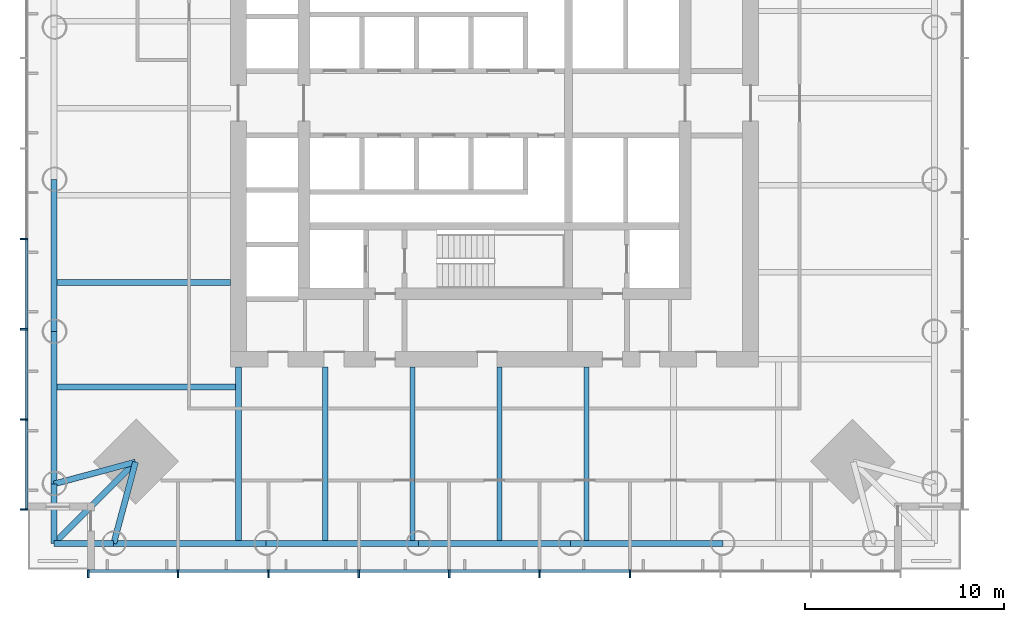
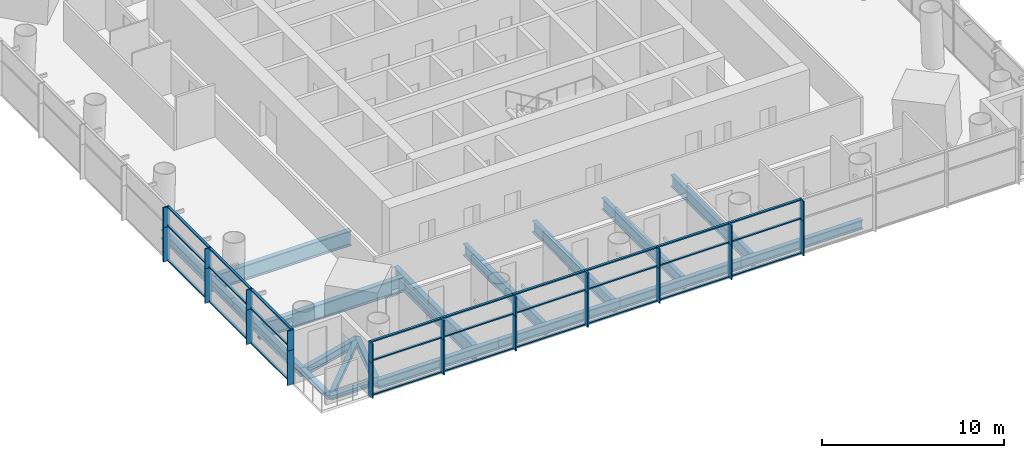
# One storey, part 2 of 24: 49 members, 18 beams, 4 elements without a shape of their own.
"""IFC4 building model written with IfcOpenShell, lengths in metres."""

import ifcopenshell
import ifcopenshell.guid

model = None  # the IFC model being written
_history = None  # IfcOwnerHistory: only IFC2X3 demands one
_inside = {}  # id of a spatial element -> (the spatial element, [elements in it])
_under = {}  # id of a project, library or spatial element -> (it, [spatial elements below it])
_declared = {}  # id of a project -> (the project, [libraries it declares])
_typed = {}  # id of a type object -> (the type object, [elements of that type])
_made_of = {}  # id of a material, layer set ... -> (it, [elements and type objects made of it])


def new_model(schema):
    """Start an empty IFC model of exactly this schema.

    Asked for "IFC4X3", IfcOpenShell would pick the latest addendum, in which some entities
    have other attributes; the version numbers below select the first issue.
    IFC2X3 requires an IfcOwnerHistory on every rooted entity: one is made here for all.
    """
    global model, _history
    if schema == "IFC4X3":
        model = ifcopenshell.file(schema_version=(4, 3, 0, 0))
    else:
        model = ifcopenshell.file(schema=schema)
    _inside.clear()
    _under.clear()
    _declared.clear()
    _typed.clear()
    _made_of.clear()
    _history = None
    if model.schema == "IFC2X3":
        org = make("IfcOrganization", Name="unknown")
        user = make(
            "IfcPersonAndOrganization",
            ThePerson=make("IfcPerson", FamilyName="unknown"),
            TheOrganization=org,
        )
        app = make(
            "IfcApplication",
            ApplicationDeveloper=org,
            Version="unknown",
            ApplicationFullName="unknown",
            ApplicationIdentifier="unknown",
        )
        _history = make(
            "IfcOwnerHistory",
            OwningUser=user,
            OwningApplication=app,
            ChangeAction="ADDED",
            CreationDate=0,
        )
    return model


def make(cls, **values):
    """One entity of the class cls with the attributes given. An attribute that is None is left unset."""
    return model.create_entity(
        cls, **{name: value for name, value in values.items() if value is not None}
    )


def rooted(cls, **values):
    """An entity with a GlobalId (a new one), such as an element, a storey or a relation."""
    return make(cls, GlobalId=ifcopenshell.guid.new(), OwnerHistory=_history, **values)


def si_unit(unit_type, name, prefix=None):
    """IfcSIUnit, for example si_unit("LENGTHUNIT", "METRE", prefix="MILLI")."""
    return make("IfcSIUnit", UnitType=unit_type, Prefix=prefix, Name=name)


def assignment(units):
    """IfcUnitAssignment: the units of a project."""
    return None if units is None else make("IfcUnitAssignment", Units=units)


def point(xyz):
    """IfcCartesianPoint."""
    return None if xyz is None else make("IfcCartesianPoint", Coordinates=xyz)


def direction(xyz):
    """IfcDirection."""
    return None if xyz is None else make("IfcDirection", DirectionRatios=xyz)


def frame(location, z_axis=None, x_axis=None):
    """IfcAxis2Placement3D, a coordinate frame: its origin and axes. An axis left out is left unset."""
    return make(
        "IfcAxis2Placement3D",
        Location=point(location),
        Axis=direction(z_axis),
        RefDirection=direction(x_axis),
    )


def frame_2d(location, x_axis=None):
    """IfcAxis2Placement2D, a coordinate frame in the plane: its origin and x axis."""
    return make(
        "IfcAxis2Placement2D", Location=point(location), RefDirection=direction(x_axis)
    )


def origin():
    """The frame at (0, 0, 0) with its axes left unset."""
    return frame((0.0, 0.0, 0.0))


def origin_2d():
    """The frame at (0, 0) in the plane with its x axis left unset."""
    return frame_2d((0.0, 0.0))


def place(relative_to, where):
    """IfcLocalPlacement: puts the frame where relative to a parent placement (None: the world)."""
    return make(
        "IfcLocalPlacement", PlacementRelTo=relative_to, RelativePlacement=where
    )


def context(
    kind, dimensions, precision=None, world=None, true_north=None, identifier=None
):
    """IfcGeometricRepresentationContext, for example the 3D "Model" context."""
    return make(
        "IfcGeometricRepresentationContext",
        ContextIdentifier=identifier,
        ContextType=kind,
        CoordinateSpaceDimension=dimensions,
        Precision=precision,
        WorldCoordinateSystem=world,
        TrueNorth=true_north,
    )


def subcontext(parent, identifier, kind, view, scale=None):
    """IfcGeometricRepresentationSubContext, for example "Body" below "Model"."""
    return make(
        "IfcGeometricRepresentationSubContext",
        ContextIdentifier=identifier,
        ContextType=kind,
        ParentContext=parent,
        TargetScale=scale,
        TargetView=view,
    )


def project(units=None, contexts=None):
    """IfcProject with its units and contexts."""
    return rooted(
        "IfcProject",
        Name="project",
        RepresentationContexts=contexts,
        UnitsInContext=assignment(units),
    )


def spatial(cls, under=None, at=None, **own):
    """A site, building, storey or space (cls), placed at a placement, below another one or the project."""
    s = rooted(cls, ObjectPlacement=at, **own)
    if under is not None:
        _under.setdefault(under.id(), (under, []))[1].append(s)
    return s


def profile(cls, at=None, kind="AREA", **sizes):
    """A parametric profile (cls). Its sizes go by their IFC names, for example OverallWidth=200.0."""
    return make(cls, ProfileType=kind, Position=at, **sizes)


def rectangle(**sizes):
    """IfcRectangleProfileDef."""
    return profile("IfcRectangleProfileDef", **sizes)


def i_section(**sizes):
    """IfcIShapeProfileDef."""
    return profile("IfcIShapeProfileDef", **sizes)


def extrude(swept, where, along, depth):
    """IfcExtrudedAreaSolid: the profile swept, set in the frame where, extruded along a direction by depth."""
    return make(
        "IfcExtrudedAreaSolid",
        SweptArea=swept,
        Position=where,
        ExtrudedDirection=direction(along),
        Depth=depth,
    )


def shape(context_of_items, identifier, shape_type, items):
    """IfcShapeRepresentation: the items that make up one representation, for example the "Body"."""
    return make(
        "IfcShapeRepresentation",
        ContextOfItems=context_of_items,
        RepresentationIdentifier=identifier,
        RepresentationType=shape_type,
        Items=items,
    )


def material(Name=None, Category=None):
    """IfcMaterial."""
    return make("IfcMaterial", Name=Name, Category=Category)


def material_profile(
    of_material, cross_section, Name=None, Category=None, Priority=None
):
    """IfcMaterialProfile: a cross section and its material."""
    return make(
        "IfcMaterialProfile",
        Name=Name,
        Material=of_material,
        Profile=cross_section,
        Priority=Priority,
        Category=Category,
    )


def profile_set(profiles, Name=None, composite=None):
    """IfcMaterialProfileSet."""
    return make(
        "IfcMaterialProfileSet",
        Name=Name,
        MaterialProfiles=profiles,
        CompositeProfile=composite,
    )


def made_of(thing, what):
    """Note that an element or type object is made of a material, layer set ...; save() writes the relation."""
    if what is not None:
        _made_of.setdefault(what.id(), (what, []))[1].append(thing)
    return thing


def type_object(cls, material=None, **own):
    """A type object (cls), such as IfcWallType, which elements share."""
    return made_of(rooted(cls, **own), material)


def element(
    cls,
    number,
    at=None,
    inside=None,
    cuts=None,
    type_object=None,
    material=None,
    context=None,
    identifier="Body",
    shape_type=None,
    held_by="IfcProductDefinitionShape",
    body=None,
    shapes=None,
    **own,
):
    """One element of the class cls, such as IfcWall. Its Tag is "e" and its number.

    at: its placement. inside: the storey or other place that contains it. cuts: it is an
    opening in that element (IfcRelVoidsElement). A single representation is given by context,
    identifier, shape_type and body (its items); several are given by shapes. held_by: the class
    of the entity that holds the representations. save() writes the other relations.
    """
    e = rooted(cls, Tag="e%d" % number, ObjectPlacement=at, **own)
    if body is not None:
        shapes = [shape(context, identifier, shape_type, body)]
    if shapes is not None:
        e.Representation = make(held_by, Representations=shapes)
    if inside is not None:
        _inside.setdefault(inside.id(), (inside, []))[1].append(e)
    if cuts is not None:
        rooted(
            "IfcRelVoidsElement", RelatingBuildingElement=cuts, RelatedOpeningElement=e
        )
    if type_object is not None:
        _typed.setdefault(type_object.id(), (type_object, []))[1].append(e)
    return made_of(e, material)


def aggregate(whole, parts):
    """IfcRelAggregates: a whole, such as a stair, and the parts it consists of."""
    return rooted("IfcRelAggregates", RelatingObject=whole, RelatedObjects=parts)


def save(model, path):
    """Write the relations noted so far, then the file.

    IfcRelAggregates (storeys below a building ...), IfcRelContainedInSpatialStructure (elements
    in a storey), IfcRelDefinesByType, IfcRelAssociatesMaterial and IfcRelDeclares: one each for
    every whole, place, type object, material and project.
    """
    for whole, parts in _under.values():
        aggregate(whole, parts)
    for where, things in _inside.values():
        rooted(
            "IfcRelContainedInSpatialStructure",
            RelatedElements=things,
            RelatingStructure=where,
        )
    for kind, things in _typed.values():
        rooted("IfcRelDefinesByType", RelatedObjects=things, RelatingType=kind)
    for what, things in _made_of.values():
        rooted("IfcRelAssociatesMaterial", RelatedObjects=things, RelatingMaterial=what)
    for by, libraries in _declared.values():
        rooted("IfcRelDeclares", RelatingContext=by, RelatedDefinitions=libraries)
    model.write(path)


model = new_model("IFC4")

# Units and contexts
model_context = context("Model", 3, precision=1e-05, world=origin(), true_north=direction((0.0, 1.0)))
body_context = subcontext(model_context, "Body", "Model", "MODEL_VIEW")
ifc_project = project(units=[si_unit("LENGTHUNIT", "METRE"), si_unit("AREAUNIT", "SQUARE_METRE"), si_unit("VOLUMEUNIT", "CUBIC_METRE"), si_unit("PLANEANGLEUNIT", "RADIAN"), si_unit("MASSUNIT", "GRAM", prefix="KILO")], contexts=[model_context])

# Site, building, storey
site_placement = place(None, origin())
site = spatial("IfcSite", under=ifc_project, at=site_placement, CompositionType="ELEMENT")
building_placement = place(site_placement, origin())
building = spatial("IfcBuilding", under=site, at=building_placement, Name="Ostroluk Exchange", CompositionType="ELEMENT")
storey_placement = place(building_placement, frame((0.0, 0.0, 78.0)))
storey = spatial("IfcBuildingStorey", under=building, at=storey_placement, Name="L19", CompositionType="ELEMENT", Elevation=78.0)

# Beams
ifc_material_1 = material(Name="Steel S355", Category="steel")
ifc_material_profile_1 = material_profile(ifc_material_1, i_section(OverallWidth=0.300048828125, OverallDepth=0.300048828125, WebThickness=0.010986328125, FlangeThickness=0.01904296875, FilletRadius=0.027099609375, at=origin_2d()), Name="HEB 300")
ifc_profile_set_1 = profile_set([ifc_material_profile_1], Name="Steel S355")
beam_type_1 = type_object("IfcBeamType", Name="Balcony beam HEB 300", PredefinedType="BEAM", material=ifc_profile_set_1)
for number, where, z_axis, x_axis, name in (
    (1, (22.821533203125, 26.821533203125, -0.330078125), (0.0, -1.0, 0.0), (1.0, 0.0, 0.0), "T1 west balcony beam a"),
    (2, (25.821533203125, 23.821533203125, -0.330078125), (-1.0, 0.0, 0.0), (0.0, -1.0, 0.0), "T1 west balcony beam b"),
):
    element("IfcBeam", number, at=place(storey_placement, frame(where, z_axis=z_axis, x_axis=x_axis)), inside=storey, type_object=beam_type_1, Name=name, PredefinedType="BEAM", context=body_context, shape_type="SweptSolid", body=[
        extrude(i_section(OverallWidth=0.300048828125, OverallDepth=0.300048828125, WebThickness=0.010986328125, FlangeThickness=0.01904296875, FilletRadius=0.027099609375, at=origin_2d()), origin(), (0.0, 0.0, 1.0), 3.0),
    ])
beam_1_placement = place(storey_placement, frame((26.92138671875, 27.92138671875, -0.330078125), z_axis=(-0.707106781187, -0.707106781187, 0.0), x_axis=(0.707106781187, -0.707106781187, 0.0)))
element("IfcBeam", 3, at=beam_1_placement, inside=storey, type_object=beam_type_1, Name="T1 west balcony beam c", PredefinedType="BEAM", context=body_context, shape_type="SweptSolid", body=[
    extrude(i_section(OverallWidth=0.300048828125, OverallDepth=0.300048828125, WebThickness=0.010986328125, FlangeThickness=0.01904296875, FilletRadius=0.027099609375, at=origin_2d()), origin(), (0.0, 0.0, 1.0), 5.798095703125),
])
ifc_material_2 = material(Name="Steel S355", Category="steel")
ifc_material_profile_2 = material_profile(ifc_material_2, i_section(OverallWidth=0.300048828125, OverallDepth=0.550048828125, WebThickness=0.014892578125, FlangeThickness=0.029052734375, FilletRadius=0.027099609375, at=origin_2d()), Name="HEB 550")
ifc_profile_set_2 = profile_set([ifc_material_profile_2], Name="Steel S355")
beam_type_2 = type_object("IfcBeamType", Name="Corner edge beam HEB 550", PredefinedType="SPANDREL", material=ifc_profile_set_2)
for number, where, z_axis, x_axis, name in (
    (4, (26.92138671875, 27.92138671875, -0.455078125), (-0.965849156574, -0.259105011038, 0.0), (0.259105011038, -0.965849156574, 0.0), "T1 west corner edge beam a"),
    (5, (26.92138671875, 27.92138671875, -0.455078125), (-0.259105011038, -0.965849156574, 0.0), (0.965849156574, -0.259105011038, 0.0), "T1 west corner edge beam b"),
):
    element("IfcBeam", number, at=place(storey_placement, frame(where, z_axis=z_axis, x_axis=x_axis)), inside=storey, type_object=beam_type_2, Name=name, PredefinedType="SPANDREL", context=body_context, shape_type="SweptSolid", body=[
        extrude(i_section(OverallWidth=0.300048828125, OverallDepth=0.550048828125, WebThickness=0.014892578125, FlangeThickness=0.029052734375, FilletRadius=0.027099609375, at=origin_2d()), origin(), (0.0, 0.0, 1.0), 4.244873046875),
    ])
ifc_material_3 = material(Name="Steel S355", Category="steel")
ifc_material_profile_3 = material_profile(ifc_material_3, i_section(OverallWidth=0.302001953125, OverallDepth=1.008056640625, WebThickness=0.02099609375, FlangeThickness=0.0400390625, FilletRadius=0.030029296875, at=origin_2d()), Name="HEM 1000")
ifc_profile_set_3 = profile_set([ifc_material_profile_3], Name="Steel S355")
beam_type_3 = type_object("IfcBeamType", Name="Floor beam HEM 1000", PredefinedType="BEAM", material=ifc_profile_set_3)
beam_2_placement = place(storey_placement, frame((31.699951171875, 36.975830078125, -0.68408203125), z_axis=(-1.0, 0.0, 0.0), x_axis=(0.0, -1.0, 0.0)))
element("IfcBeam", 6, at=beam_2_placement, inside=storey, type_object=beam_type_3, Name="T1 west floor beam 5", PredefinedType="BEAM", context=body_context, shape_type="SweptSolid", body=[
    extrude(i_section(OverallWidth=0.302001953125, OverallDepth=1.008056640625, WebThickness=0.02099609375, FlangeThickness=0.0400390625, FilletRadius=0.030029296875, at=origin_2d()), origin(), (0.0, 0.0, 1.0), 8.87841796875),
])
beam_3_placement = place(storey_placement, frame((32.10009765625, 31.699951171875, -0.68408203125), z_axis=(-1.0, 0.0, 0.0), x_axis=(0.0, -1.0, 0.0)))
element("IfcBeam", 7, at=beam_3_placement, inside=storey, type_object=beam_type_3, Name="T1 west floor beam 6", PredefinedType="BEAM", context=body_context, shape_type="SweptSolid", body=[
    extrude(i_section(OverallWidth=0.302001953125, OverallDepth=1.008056640625, WebThickness=0.02099609375, FlangeThickness=0.0400390625, FilletRadius=0.030029296875, at=origin_2d()), origin(), (0.0, 0.0, 1.0), 9.278564453125),
])
ifc_material_4 = material(Name="Steel S355", Category="steel")
ifc_material_profile_4 = material_profile(ifc_material_4, i_section(OverallWidth=0.26806640625, OverallDepth=0.77001953125, WebThickness=0.015625, FlangeThickness=0.025390625, FilletRadius=0.01708984375, at=origin_2d()), Name="IPE 750x196")
ifc_profile_set_4 = profile_set([ifc_material_profile_4], Name="Steel S355")
beam_type_4 = type_object("IfcBeamType", Name="Floor beam IPE 750x196", PredefinedType="BEAM", material=ifc_profile_set_4)
for number, where, z_axis, x_axis, name in (
    (8, (36.48486328125, 32.699951171875, -0.56494140625), (0.0, -1.0, 0.0), (1.0, 0.0, 0.0), "T1 south floor beam 1"),
    (9, (40.86962890625, 32.699951171875, -0.56494140625), (0.0, -1.0, 0.0), (1.0, 0.0, 0.0), "T1 south floor beam 2"),
    (10, (45.25439453125, 32.699951171875, -0.56494140625), (0.0, -1.0, 0.0), (1.0, 0.0, 0.0), "T1 south floor beam 3"),
    (11, (49.639404296875, 32.699951171875, -0.56494140625), (0.0, -1.0, 0.0), (1.0, 0.0, 0.0), "T1 south floor beam 4"),
):
    element("IfcBeam", number, at=place(storey_placement, frame(where, z_axis=z_axis, x_axis=x_axis)), inside=storey, type_object=beam_type_4, Name=name, PredefinedType="BEAM", context=body_context, shape_type="SweptSolid", body=[
        extrude(i_section(OverallWidth=0.26806640625, OverallDepth=0.77001953125, WebThickness=0.015625, FlangeThickness=0.025390625, FilletRadius=0.01708984375, at=origin_2d()), origin(), (0.0, 0.0, 1.0), 8.87841796875),
    ])
ifc_material_5 = material(Name="Steel S355", Category="steel")
ifc_material_profile_5 = material_profile(ifc_material_5, i_section(OverallWidth=0.302001953125, OverallDepth=1.008056640625, WebThickness=0.02099609375, FlangeThickness=0.0400390625, FilletRadius=0.030029296875, at=origin_2d()), Name="HEM 1000")
ifc_profile_set_5 = profile_set([ifc_material_profile_5], Name="Steel S355")
beam_type_5 = type_object("IfcBeamType", Name="Girder HEM 1000", PredefinedType="BEAM", material=ifc_profile_set_5)
beam_4_placement = place(storey_placement, frame((32.10009765625, 32.699951171875, -0.68408203125), z_axis=(0.0, -1.0, 0.0), x_axis=(1.0, 0.0, 0.0)))
element("IfcBeam", 12, at=beam_4_placement, inside=storey, type_object=beam_type_5, Name="T1 west girder", PredefinedType="BEAM", context=body_context, shape_type="SweptSolid", body=[
    extrude(i_section(OverallWidth=0.302001953125, OverallDepth=1.008056640625, WebThickness=0.02099609375, FlangeThickness=0.0400390625, FilletRadius=0.030029296875, at=origin_2d()), origin(), (0.0, 0.0, 1.0), 8.87841796875),
])
ifc_material_6 = material(Name="Steel S355", Category="steel")
ifc_material_profile_6 = material_profile(ifc_material_6, i_section(OverallWidth=0.300048828125, OverallDepth=0.60009765625, WebThickness=0.015380859375, FlangeThickness=0.030029296875, FilletRadius=0.027099609375, at=origin_2d()), Name="HEB 600")
ifc_profile_set_6 = profile_set([ifc_material_profile_6], Name="Steel S355")
beam_type_6 = type_object("IfcBeamType", Name="Moment-connected edge beam HEB 600", PredefinedType="SPANDREL", material=ifc_profile_set_6)
for number, where, z_axis, x_axis, name in (
    (13, (22.821533203125, 42.164306640625, -0.47998046875), (0.0, -1.0, 0.0), (1.0, 0.0, 0.0), "T1 west edge beam 4"),
    (14, (22.821533203125, 34.492919921875, -0.47998046875), (0.0, -1.0, 0.0), (1.0, 0.0, 0.0), "T1 west edge beam 5"),
    (15, (25.821533203125, 23.821533203125, -0.47998046875), (1.0, 0.0, 0.0), (0.0, 1.0, 0.0), "T1 south edge beam 1"),
    (16, (33.492919921875, 23.821533203125, -0.47998046875), (1.0, 0.0, 0.0), (0.0, 1.0, 0.0), "T1 south edge beam 2"),
    (17, (41.164306640625, 23.821533203125, -0.47998046875), (1.0, 0.0, 0.0), (0.0, 1.0, 0.0), "T1 south edge beam 3"),
    (18, (48.835693359375, 23.821533203125, -0.47998046875), (1.0, 0.0, 0.0), (0.0, 1.0, 0.0), "T1 south edge beam 4"),
):
    element("IfcBeam", number, at=place(storey_placement, frame(where, z_axis=z_axis, x_axis=x_axis)), inside=storey, type_object=beam_type_6, Name=name, PredefinedType="SPANDREL", context=body_context, shape_type="SweptSolid", body=[
        extrude(i_section(OverallWidth=0.300048828125, OverallDepth=0.60009765625, WebThickness=0.015380859375, FlangeThickness=0.030029296875, FilletRadius=0.027099609375, at=origin_2d()), origin(), (0.0, 0.0, 1.0), 7.67138671875),
    ])

# Curtain wall, members
ifc_material_7 = material(Name="Laminated clear glass", Category="glass")
curtain_wall_type = type_object("IfcCurtainWallType", Name="Office tower facade", PredefinedType="USERDEFINED", material=ifc_material_7)
curtain_wall_1_placement = place(storey_placement, origin())
curtain_wall_1 = element("IfcCurtainWall", 19, at=curtain_wall_1_placement, inside=storey, type_object=curtain_wall_type, Name="Office tower south facade L19", ObjectType="UNITISED CURTAIN WALL", PredefinedType="USERDEFINED")
ifc_material_8 = material(Name="Aluminium mullion", Category="aluminium")
ifc_material_profile_7 = material_profile(ifc_material_8, rectangle(XDim=0.14990234375, YDim=0.080078125, at=origin_2d()), Name="Sill transom 80 x 150")
ifc_profile_set_7 = profile_set([ifc_material_profile_7], Name="Aluminium mullion")
member_type_1 = type_object("IfcMemberType", Name="Sill transom 80 x 150", PredefinedType="USERDEFINED", material=ifc_profile_set_7)
member_1_placement = place(storey_placement, frame((24.580078125, 22.425048828125, 0.0400390625), z_axis=(1.0, 0.0, 0.0), x_axis=(0.0, 1.0, 0.0)))
member_1 = element("IfcMember", 20, at=member_1_placement, type_object=member_type_1, Name="CW-O1 transom 1.1", ObjectType="TRANSOM", PredefinedType="USERDEFINED", context=body_context, shape_type="SweptSolid", body=[
    extrude(rectangle(XDim=0.14990234375, YDim=0.080078125, at=origin_2d()), origin(), (0.0, 0.0, 1.0), 4.435546875),
])
member_2_placement = place(storey_placement, frame((29.095458984375, 22.425048828125, 0.0400390625), z_axis=(1.0, 0.0, 0.0), x_axis=(0.0, 1.0, 0.0)))
member_2 = element("IfcMember", 21, at=member_2_placement, type_object=member_type_1, Name="CW-O1 transom 2.1", ObjectType="TRANSOM", PredefinedType="USERDEFINED", context=body_context, shape_type="SweptSolid", body=[
    extrude(rectangle(XDim=0.14990234375, YDim=0.080078125, at=origin_2d()), origin(), (0.0, 0.0, 1.0), 4.4755859375),
])
member_3_placement = place(storey_placement, frame((33.651123046875, 22.425048828125, 0.0400390625), z_axis=(1.0, 0.0, 0.0), x_axis=(0.0, 1.0, 0.0)))
member_3 = element("IfcMember", 22, at=member_3_placement, type_object=member_type_1, Name="CW-O1 transom 3.1", ObjectType="TRANSOM", PredefinedType="USERDEFINED", context=body_context, shape_type="SweptSolid", body=[
    extrude(rectangle(XDim=0.14990234375, YDim=0.080078125, at=origin_2d()), origin(), (0.0, 0.0, 1.0), 4.4755859375),
])
member_4_placement = place(storey_placement, frame((38.206787109375, 22.425048828125, 0.0400390625), z_axis=(1.0, 0.0, 0.0), x_axis=(0.0, 1.0, 0.0)))
member_4 = element("IfcMember", 23, at=member_4_placement, type_object=member_type_1, Name="CW-O1 transom 4.1", ObjectType="TRANSOM", PredefinedType="USERDEFINED", context=body_context, shape_type="SweptSolid", body=[
    extrude(rectangle(XDim=0.14990234375, YDim=0.080078125, at=origin_2d()), origin(), (0.0, 0.0, 1.0), 4.475341796875),
])
member_5_placement = place(storey_placement, frame((42.76220703125, 22.425048828125, 0.0400390625), z_axis=(1.0, 0.0, 0.0), x_axis=(0.0, 1.0, 0.0)))
member_5 = element("IfcMember", 24, at=member_5_placement, type_object=member_type_1, Name="CW-O1 transom 5.1", ObjectType="TRANSOM", PredefinedType="USERDEFINED", context=body_context, shape_type="SweptSolid", body=[
    extrude(rectangle(XDim=0.14990234375, YDim=0.080078125, at=origin_2d()), origin(), (0.0, 0.0, 1.0), 4.4755859375),
])
member_6_placement = place(storey_placement, frame((47.31787109375, 22.425048828125, 0.0400390625), z_axis=(1.0, 0.0, 0.0), x_axis=(0.0, 1.0, 0.0)))
member_6 = element("IfcMember", 25, at=member_6_placement, type_object=member_type_1, Name="CW-O1 transom 6.1", ObjectType="TRANSOM", PredefinedType="USERDEFINED", context=body_context, shape_type="SweptSolid", body=[
    extrude(rectangle(XDim=0.14990234375, YDim=0.080078125, at=origin_2d()), origin(), (0.0, 0.0, 1.0), 4.475341796875),
])

curtain_wall_2_placement = place(storey_placement, origin())
curtain_wall_2 = element("IfcCurtainWall", 26, at=curtain_wall_2_placement, inside=storey, type_object=curtain_wall_type, Name="Office tower south spandrel L19", ObjectType="UNITISED CURTAIN WALL", PredefinedType="USERDEFINED")
member_7_placement = place(storey_placement, frame((24.580078125, 22.425048828125, 2.353515625), z_axis=(1.0, 0.0, 0.0), x_axis=(0.0, 1.0, 0.0)))
member_7 = element("IfcMember", 27, at=member_7_placement, type_object=member_type_1, Name="CW-O1 transom 1.1", ObjectType="TRANSOM", PredefinedType="USERDEFINED", context=body_context, shape_type="SweptSolid", body=[
    extrude(rectangle(XDim=0.14990234375, YDim=0.080078125, at=origin_2d()), origin(), (0.0, 0.0, 1.0), 4.435546875),
])
member_8_placement = place(storey_placement, frame((24.580078125, 22.425048828125, 3.610107421875), z_axis=(1.0, 0.0, 0.0), x_axis=(0.0, 1.0, 0.0)))
member_8 = element("IfcMember", 28, at=member_8_placement, type_object=member_type_1, Name="CW-O1 transom 1.2", ObjectType="TRANSOM", PredefinedType="USERDEFINED", context=body_context, shape_type="SweptSolid", body=[
    extrude(rectangle(XDim=0.14990234375, YDim=0.080078125, at=origin_2d()), origin(), (0.0, 0.0, 1.0), 4.435546875),
])
member_9_placement = place(storey_placement, frame((29.095458984375, 22.425048828125, 2.353515625), z_axis=(1.0, 0.0, 0.0), x_axis=(0.0, 1.0, 0.0)))
member_9 = element("IfcMember", 29, at=member_9_placement, type_object=member_type_1, Name="CW-O1 transom 2.1", ObjectType="TRANSOM", PredefinedType="USERDEFINED", context=body_context, shape_type="SweptSolid", body=[
    extrude(rectangle(XDim=0.14990234375, YDim=0.080078125, at=origin_2d()), origin(), (0.0, 0.0, 1.0), 4.4755859375),
])
member_10_placement = place(storey_placement, frame((29.095458984375, 22.425048828125, 3.610107421875), z_axis=(1.0, 0.0, 0.0), x_axis=(0.0, 1.0, 0.0)))
member_10 = element("IfcMember", 30, at=member_10_placement, type_object=member_type_1, Name="CW-O1 transom 2.2", ObjectType="TRANSOM", PredefinedType="USERDEFINED", context=body_context, shape_type="SweptSolid", body=[
    extrude(rectangle(XDim=0.14990234375, YDim=0.080078125, at=origin_2d()), origin(), (0.0, 0.0, 1.0), 4.4755859375),
])
member_11_placement = place(storey_placement, frame((33.651123046875, 22.425048828125, 2.353515625), z_axis=(1.0, 0.0, 0.0), x_axis=(0.0, 1.0, 0.0)))
member_11 = element("IfcMember", 31, at=member_11_placement, type_object=member_type_1, Name="CW-O1 transom 3.1", ObjectType="TRANSOM", PredefinedType="USERDEFINED", context=body_context, shape_type="SweptSolid", body=[
    extrude(rectangle(XDim=0.14990234375, YDim=0.080078125, at=origin_2d()), origin(), (0.0, 0.0, 1.0), 4.4755859375),
])
member_12_placement = place(storey_placement, frame((33.651123046875, 22.425048828125, 3.610107421875), z_axis=(1.0, 0.0, 0.0), x_axis=(0.0, 1.0, 0.0)))
member_12 = element("IfcMember", 32, at=member_12_placement, type_object=member_type_1, Name="CW-O1 transom 3.2", ObjectType="TRANSOM", PredefinedType="USERDEFINED", context=body_context, shape_type="SweptSolid", body=[
    extrude(rectangle(XDim=0.14990234375, YDim=0.080078125, at=origin_2d()), origin(), (0.0, 0.0, 1.0), 4.4755859375),
])
member_13_placement = place(storey_placement, frame((38.206787109375, 22.425048828125, 2.353515625), z_axis=(1.0, 0.0, 0.0), x_axis=(0.0, 1.0, 0.0)))
member_13 = element("IfcMember", 33, at=member_13_placement, type_object=member_type_1, Name="CW-O1 transom 4.1", ObjectType="TRANSOM", PredefinedType="USERDEFINED", context=body_context, shape_type="SweptSolid", body=[
    extrude(rectangle(XDim=0.14990234375, YDim=0.080078125, at=origin_2d()), origin(), (0.0, 0.0, 1.0), 4.475341796875),
])
member_14_placement = place(storey_placement, frame((38.206787109375, 22.425048828125, 3.610107421875), z_axis=(1.0, 0.0, 0.0), x_axis=(0.0, 1.0, 0.0)))
member_14 = element("IfcMember", 34, at=member_14_placement, type_object=member_type_1, Name="CW-O1 transom 4.2", ObjectType="TRANSOM", PredefinedType="USERDEFINED", context=body_context, shape_type="SweptSolid", body=[
    extrude(rectangle(XDim=0.14990234375, YDim=0.080078125, at=origin_2d()), origin(), (0.0, 0.0, 1.0), 4.475341796875),
])
member_15_placement = place(storey_placement, frame((42.76220703125, 22.425048828125, 2.353515625), z_axis=(1.0, 0.0, 0.0), x_axis=(0.0, 1.0, 0.0)))
member_15 = element("IfcMember", 35, at=member_15_placement, type_object=member_type_1, Name="CW-O1 transom 5.1", ObjectType="TRANSOM", PredefinedType="USERDEFINED", context=body_context, shape_type="SweptSolid", body=[
    extrude(rectangle(XDim=0.14990234375, YDim=0.080078125, at=origin_2d()), origin(), (0.0, 0.0, 1.0), 4.4755859375),
])
member_16_placement = place(storey_placement, frame((42.76220703125, 22.425048828125, 3.610107421875), z_axis=(1.0, 0.0, 0.0), x_axis=(0.0, 1.0, 0.0)))
member_16 = element("IfcMember", 36, at=member_16_placement, type_object=member_type_1, Name="CW-O1 transom 5.2", ObjectType="TRANSOM", PredefinedType="USERDEFINED", context=body_context, shape_type="SweptSolid", body=[
    extrude(rectangle(XDim=0.14990234375, YDim=0.080078125, at=origin_2d()), origin(), (0.0, 0.0, 1.0), 4.4755859375),
])
member_17_placement = place(storey_placement, frame((47.31787109375, 22.425048828125, 2.353515625), z_axis=(1.0, 0.0, 0.0), x_axis=(0.0, 1.0, 0.0)))
member_17 = element("IfcMember", 37, at=member_17_placement, type_object=member_type_1, Name="CW-O1 transom 6.1", ObjectType="TRANSOM", PredefinedType="USERDEFINED", context=body_context, shape_type="SweptSolid", body=[
    extrude(rectangle(XDim=0.14990234375, YDim=0.080078125, at=origin_2d()), origin(), (0.0, 0.0, 1.0), 4.475341796875),
])
member_18_placement = place(storey_placement, frame((47.31787109375, 22.425048828125, 3.610107421875), z_axis=(1.0, 0.0, 0.0), x_axis=(0.0, 1.0, 0.0)))
member_18 = element("IfcMember", 38, at=member_18_placement, type_object=member_type_1, Name="CW-O1 transom 6.2", ObjectType="TRANSOM", PredefinedType="USERDEFINED", context=body_context, shape_type="SweptSolid", body=[
    extrude(rectangle(XDim=0.14990234375, YDim=0.080078125, at=origin_2d()), origin(), (0.0, 0.0, 1.0), 4.475341796875),
])

curtain_wall_3_placement = place(storey_placement, origin())
curtain_wall_3 = element("IfcCurtainWall", 39, at=curtain_wall_3_placement, inside=storey, type_object=curtain_wall_type, Name="Office tower west facade L19", ObjectType="UNITISED CURTAIN WALL", PredefinedType="USERDEFINED")
member_19_placement = place(storey_placement, frame((21.425048828125, 39.126708984375, 0.0400390625), z_axis=(0.0, -1.0, 0.0), x_axis=(1.0, 0.0, 0.0)))
member_19 = element("IfcMember", 40, at=member_19_placement, type_object=member_type_1, Name="CW-O1 transom 7.1", ObjectType="TRANSOM", PredefinedType="USERDEFINED", context=body_context, shape_type="SweptSolid", body=[
    extrude(rectangle(XDim=0.14990234375, YDim=0.080078125, at=origin_2d()), origin(), (0.0, 0.0, 1.0), 4.4755859375),
])
member_20_placement = place(storey_placement, frame((21.425048828125, 34.571044921875, 0.0400390625), z_axis=(0.0, -1.0, 0.0), x_axis=(1.0, 0.0, 0.0)))
member_20 = element("IfcMember", 41, at=member_20_placement, type_object=member_type_1, Name="CW-O1 transom 8.1", ObjectType="TRANSOM", PredefinedType="USERDEFINED", context=body_context, shape_type="SweptSolid", body=[
    extrude(rectangle(XDim=0.14990234375, YDim=0.080078125, at=origin_2d()), origin(), (0.0, 0.0, 1.0), 4.4755859375),
])
member_21_placement = place(storey_placement, frame((21.425048828125, 30.015625, 0.0400390625), z_axis=(0.0, -1.0, 0.0), x_axis=(1.0, 0.0, 0.0)))
member_21 = element("IfcMember", 42, at=member_21_placement, type_object=member_type_1, Name="CW-O1 transom 9.1", ObjectType="TRANSOM", PredefinedType="USERDEFINED", context=body_context, shape_type="SweptSolid", body=[
    extrude(rectangle(XDim=0.14990234375, YDim=0.080078125, at=origin_2d()), origin(), (0.0, 0.0, 1.0), 4.435546875),
])

curtain_wall_4_placement = place(storey_placement, origin())
curtain_wall_4 = element("IfcCurtainWall", 43, at=curtain_wall_4_placement, inside=storey, type_object=curtain_wall_type, Name="Office tower west spandrel L19", ObjectType="UNITISED CURTAIN WALL", PredefinedType="USERDEFINED")
member_22_placement = place(storey_placement, frame((21.425048828125, 39.126708984375, 2.353515625), z_axis=(0.0, -1.0, 0.0), x_axis=(1.0, 0.0, 0.0)))
member_22 = element("IfcMember", 44, at=member_22_placement, type_object=member_type_1, Name="CW-O1 transom 7.1", ObjectType="TRANSOM", PredefinedType="USERDEFINED", context=body_context, shape_type="SweptSolid", body=[
    extrude(rectangle(XDim=0.14990234375, YDim=0.080078125, at=origin_2d()), origin(), (0.0, 0.0, 1.0), 4.4755859375),
])
member_23_placement = place(storey_placement, frame((21.425048828125, 39.126708984375, 3.610107421875), z_axis=(0.0, -1.0, 0.0), x_axis=(1.0, 0.0, 0.0)))
member_23 = element("IfcMember", 45, at=member_23_placement, type_object=member_type_1, Name="CW-O1 transom 7.2", ObjectType="TRANSOM", PredefinedType="USERDEFINED", context=body_context, shape_type="SweptSolid", body=[
    extrude(rectangle(XDim=0.14990234375, YDim=0.080078125, at=origin_2d()), origin(), (0.0, 0.0, 1.0), 4.4755859375),
])
member_24_placement = place(storey_placement, frame((21.425048828125, 34.571044921875, 2.353515625), z_axis=(0.0, -1.0, 0.0), x_axis=(1.0, 0.0, 0.0)))
member_24 = element("IfcMember", 46, at=member_24_placement, type_object=member_type_1, Name="CW-O1 transom 8.1", ObjectType="TRANSOM", PredefinedType="USERDEFINED", context=body_context, shape_type="SweptSolid", body=[
    extrude(rectangle(XDim=0.14990234375, YDim=0.080078125, at=origin_2d()), origin(), (0.0, 0.0, 1.0), 4.4755859375),
])
member_25_placement = place(storey_placement, frame((21.425048828125, 34.571044921875, 3.610107421875), z_axis=(0.0, -1.0, 0.0), x_axis=(1.0, 0.0, 0.0)))
member_25 = element("IfcMember", 47, at=member_25_placement, type_object=member_type_1, Name="CW-O1 transom 8.2", ObjectType="TRANSOM", PredefinedType="USERDEFINED", context=body_context, shape_type="SweptSolid", body=[
    extrude(rectangle(XDim=0.14990234375, YDim=0.080078125, at=origin_2d()), origin(), (0.0, 0.0, 1.0), 4.4755859375),
])
member_26_placement = place(storey_placement, frame((21.425048828125, 30.015625, 2.353515625), z_axis=(0.0, -1.0, 0.0), x_axis=(1.0, 0.0, 0.0)))
member_26 = element("IfcMember", 48, at=member_26_placement, type_object=member_type_1, Name="CW-O1 transom 9.1", ObjectType="TRANSOM", PredefinedType="USERDEFINED", context=body_context, shape_type="SweptSolid", body=[
    extrude(rectangle(XDim=0.14990234375, YDim=0.080078125, at=origin_2d()), origin(), (0.0, 0.0, 1.0), 4.435546875),
])
member_27_placement = place(storey_placement, frame((21.425048828125, 30.015625, 3.610107421875), z_axis=(0.0, -1.0, 0.0), x_axis=(1.0, 0.0, 0.0)))
member_27 = element("IfcMember", 49, at=member_27_placement, type_object=member_type_1, Name="CW-O1 transom 9.2", ObjectType="TRANSOM", PredefinedType="USERDEFINED", context=body_context, shape_type="SweptSolid", body=[
    extrude(rectangle(XDim=0.14990234375, YDim=0.080078125, at=origin_2d()), origin(), (0.0, 0.0, 1.0), 4.435546875),
])

# Member
ifc_material_9 = material(Name="Aluminium mullion with limestone facing", Category="masonry")
ifc_material_profile_8 = material_profile(ifc_material_9, rectangle(XDim=0.39990234375, YDim=0.080078125, at=origin_2d()), Name="Tracery mullion 80 x 400")
ifc_profile_set_8 = profile_set([ifc_material_profile_8], Name="Aluminium mullion with limestone facing")
member_type_2 = type_object("IfcMemberType", Name="Tracery mullion 80 x 400", PredefinedType="MULLION", material=ifc_profile_set_8)
member_28_placement = place(storey_placement, frame((24.5400390625, 22.300048828125, 0.0), z_axis=(0.0, 0.0, 1.0), x_axis=(0.0, 1.0, 0.0)))
member_28 = element("IfcMember", 50, at=member_28_placement, type_object=member_type_2, Name="CW-O1 mullion 1", PredefinedType="MULLION", context=body_context, shape_type="SweptSolid", body=[
    extrude(rectangle(XDim=0.39990234375, YDim=0.080078125, at=origin_2d()), origin(), (0.0, 0.0, 1.0), 2.3134765625),
])

member_29_placement = place(storey_placement, frame((29.0556640625, 22.300048828125, 0.0), z_axis=(0.0, 0.0, 1.0), x_axis=(0.0, 1.0, 0.0)))
member_29 = element("IfcMember", 51, at=member_29_placement, type_object=member_type_2, Name="CW-O1 mullion 2", PredefinedType="MULLION", context=body_context, shape_type="SweptSolid", body=[
    extrude(rectangle(XDim=0.39990234375, YDim=0.080078125, at=origin_2d()), origin(), (0.0, 0.0, 1.0), 2.3134765625),
])

member_30_placement = place(storey_placement, frame((33.611083984375, 22.300048828125, 0.0), z_axis=(0.0, 0.0, 1.0), x_axis=(0.0, 1.0, 0.0)))
member_30 = element("IfcMember", 52, at=member_30_placement, type_object=member_type_2, Name="CW-O1 mullion 3", PredefinedType="MULLION", context=body_context, shape_type="SweptSolid", body=[
    extrude(rectangle(XDim=0.39990234375, YDim=0.080078125, at=origin_2d()), origin(), (0.0, 0.0, 1.0), 2.3134765625),
])

member_31_placement = place(storey_placement, frame((38.166748046875, 22.300048828125, 0.0), z_axis=(0.0, 0.0, 1.0), x_axis=(0.0, 1.0, 0.0)))
member_31 = element("IfcMember", 53, at=member_31_placement, type_object=member_type_2, Name="CW-O1 mullion 4", PredefinedType="MULLION", context=body_context, shape_type="SweptSolid", body=[
    extrude(rectangle(XDim=0.39990234375, YDim=0.080078125, at=origin_2d()), origin(), (0.0, 0.0, 1.0), 2.3134765625),
])

member_32_placement = place(storey_placement, frame((42.72216796875, 22.300048828125, 0.0), z_axis=(0.0, 0.0, 1.0), x_axis=(0.0, 1.0, 0.0)))
member_32 = element("IfcMember", 54, at=member_32_placement, type_object=member_type_2, Name="CW-O1 mullion 5", PredefinedType="MULLION", context=body_context, shape_type="SweptSolid", body=[
    extrude(rectangle(XDim=0.39990234375, YDim=0.080078125, at=origin_2d()), origin(), (0.0, 0.0, 1.0), 2.3134765625),
])

member_33_placement = place(storey_placement, frame((47.27783203125, 22.300048828125, 0.0), z_axis=(0.0, 0.0, 1.0), x_axis=(0.0, 1.0, 0.0)))
member_33 = element("IfcMember", 55, at=member_33_placement, type_object=member_type_2, Name="CW-O1 mullion 6", PredefinedType="MULLION", context=body_context, shape_type="SweptSolid", body=[
    extrude(rectangle(XDim=0.39990234375, YDim=0.080078125, at=origin_2d()), origin(), (0.0, 0.0, 1.0), 2.3134765625),
])

member_34_placement = place(storey_placement, frame((51.833251953125, 22.300048828125, 0.0), z_axis=(0.0, 0.0, 1.0), x_axis=(0.0, 1.0, 0.0)))
member_34 = element("IfcMember", 56, at=member_34_placement, type_object=member_type_2, Name="CW-O1 mullion 7", PredefinedType="MULLION", context=body_context, shape_type="SweptSolid", body=[
    extrude(rectangle(XDim=0.39990234375, YDim=0.080078125, at=origin_2d()), origin(), (0.0, 0.0, 1.0), 2.3134765625),
])

aggregate(curtain_wall_1, [member_28, member_29, member_30, member_31, member_32, member_33, member_34, member_1, member_2, member_3, member_4, member_5, member_6])

member_35_placement = place(storey_placement, frame((24.5400390625, 22.300048828125, 2.3134765625), z_axis=(0.0, 0.0, 1.0), x_axis=(0.0, 1.0, 0.0)))
member_35 = element("IfcMember", 57, at=member_35_placement, type_object=member_type_2, Name="CW-O1 mullion 1", PredefinedType="MULLION", context=body_context, shape_type="SweptSolid", body=[
    extrude(rectangle(XDim=0.39990234375, YDim=0.080078125, at=origin_2d()), origin(), (0.0, 0.0, 1.0), 1.33642578125),
])

member_36_placement = place(storey_placement, frame((29.0556640625, 22.300048828125, 2.3134765625), z_axis=(0.0, 0.0, 1.0), x_axis=(0.0, 1.0, 0.0)))
member_36 = element("IfcMember", 58, at=member_36_placement, type_object=member_type_2, Name="CW-O1 mullion 2", PredefinedType="MULLION", context=body_context, shape_type="SweptSolid", body=[
    extrude(rectangle(XDim=0.39990234375, YDim=0.080078125, at=origin_2d()), origin(), (0.0, 0.0, 1.0), 1.33642578125),
])

member_37_placement = place(storey_placement, frame((33.611083984375, 22.300048828125, 2.3134765625), z_axis=(0.0, 0.0, 1.0), x_axis=(0.0, 1.0, 0.0)))
member_37 = element("IfcMember", 59, at=member_37_placement, type_object=member_type_2, Name="CW-O1 mullion 3", PredefinedType="MULLION", context=body_context, shape_type="SweptSolid", body=[
    extrude(rectangle(XDim=0.39990234375, YDim=0.080078125, at=origin_2d()), origin(), (0.0, 0.0, 1.0), 1.33642578125),
])

member_38_placement = place(storey_placement, frame((38.166748046875, 22.300048828125, 2.3134765625), z_axis=(0.0, 0.0, 1.0), x_axis=(0.0, 1.0, 0.0)))
member_38 = element("IfcMember", 60, at=member_38_placement, type_object=member_type_2, Name="CW-O1 mullion 4", PredefinedType="MULLION", context=body_context, shape_type="SweptSolid", body=[
    extrude(rectangle(XDim=0.39990234375, YDim=0.080078125, at=origin_2d()), origin(), (0.0, 0.0, 1.0), 1.33642578125),
])

member_39_placement = place(storey_placement, frame((42.72216796875, 22.300048828125, 2.3134765625), z_axis=(0.0, 0.0, 1.0), x_axis=(0.0, 1.0, 0.0)))
member_39 = element("IfcMember", 61, at=member_39_placement, type_object=member_type_2, Name="CW-O1 mullion 5", PredefinedType="MULLION", context=body_context, shape_type="SweptSolid", body=[
    extrude(rectangle(XDim=0.39990234375, YDim=0.080078125, at=origin_2d()), origin(), (0.0, 0.0, 1.0), 1.33642578125),
])

member_40_placement = place(storey_placement, frame((47.27783203125, 22.300048828125, 2.3134765625), z_axis=(0.0, 0.0, 1.0), x_axis=(0.0, 1.0, 0.0)))
member_40 = element("IfcMember", 62, at=member_40_placement, type_object=member_type_2, Name="CW-O1 mullion 6", PredefinedType="MULLION", context=body_context, shape_type="SweptSolid", body=[
    extrude(rectangle(XDim=0.39990234375, YDim=0.080078125, at=origin_2d()), origin(), (0.0, 0.0, 1.0), 1.33642578125),
])

member_41_placement = place(storey_placement, frame((51.833251953125, 22.300048828125, 2.3134765625), z_axis=(0.0, 0.0, 1.0), x_axis=(0.0, 1.0, 0.0)))
member_41 = element("IfcMember", 63, at=member_41_placement, type_object=member_type_2, Name="CW-O1 mullion 7", PredefinedType="MULLION", context=body_context, shape_type="SweptSolid", body=[
    extrude(rectangle(XDim=0.39990234375, YDim=0.080078125, at=origin_2d()), origin(), (0.0, 0.0, 1.0), 1.33642578125),
])

aggregate(curtain_wall_2, [member_35, member_36, member_37, member_38, member_39, member_40, member_41, member_7, member_8, member_9, member_10, member_11, member_12, member_13, member_14, member_15, member_16, member_17, member_18])

member_42_placement = place(storey_placement, frame((21.300048828125, 39.166748046875, 0.0), z_axis=(0.0, 0.0, 1.0), x_axis=(1.0, 0.0, 0.0)))
member_42 = element("IfcMember", 64, at=member_42_placement, type_object=member_type_2, Name="CW-O1 mullion 7", PredefinedType="MULLION", context=body_context, shape_type="SweptSolid", body=[
    extrude(rectangle(XDim=0.39990234375, YDim=0.080078125, at=origin_2d()), origin(), (0.0, 0.0, 1.0), 2.3134765625),
])

member_43_placement = place(storey_placement, frame((21.300048828125, 34.611083984375, 0.0), z_axis=(0.0, 0.0, 1.0), x_axis=(1.0, 0.0, 0.0)))
member_43 = element("IfcMember", 65, at=member_43_placement, type_object=member_type_2, Name="CW-O1 mullion 8", PredefinedType="MULLION", context=body_context, shape_type="SweptSolid", body=[
    extrude(rectangle(XDim=0.39990234375, YDim=0.080078125, at=origin_2d()), origin(), (0.0, 0.0, 1.0), 2.3134765625),
])

member_44_placement = place(storey_placement, frame((21.300048828125, 30.0556640625, 0.0), z_axis=(0.0, 0.0, 1.0), x_axis=(1.0, 0.0, 0.0)))
member_44 = element("IfcMember", 66, at=member_44_placement, type_object=member_type_2, Name="CW-O1 mullion 9", PredefinedType="MULLION", context=body_context, shape_type="SweptSolid", body=[
    extrude(rectangle(XDim=0.39990234375, YDim=0.080078125, at=origin_2d()), origin(), (0.0, 0.0, 1.0), 2.3134765625),
])

member_45_placement = place(storey_placement, frame((21.300048828125, 25.5400390625, 0.0), z_axis=(0.0, 0.0, 1.0), x_axis=(1.0, 0.0, 0.0)))
member_45 = element("IfcMember", 67, at=member_45_placement, type_object=member_type_2, Name="CW-O1 mullion 10", PredefinedType="MULLION", context=body_context, shape_type="SweptSolid", body=[
    extrude(rectangle(XDim=0.39990234375, YDim=0.080078125, at=origin_2d()), origin(), (0.0, 0.0, 1.0), 2.3134765625),
])

aggregate(curtain_wall_3, [member_42, member_43, member_44, member_45, member_19, member_20, member_21])

member_46_placement = place(storey_placement, frame((21.300048828125, 39.166748046875, 2.3134765625), z_axis=(0.0, 0.0, 1.0), x_axis=(1.0, 0.0, 0.0)))
member_46 = element("IfcMember", 68, at=member_46_placement, type_object=member_type_2, Name="CW-O1 mullion 7", PredefinedType="MULLION", context=body_context, shape_type="SweptSolid", body=[
    extrude(rectangle(XDim=0.39990234375, YDim=0.080078125, at=origin_2d()), origin(), (0.0, 0.0, 1.0), 1.33642578125),
])

member_47_placement = place(storey_placement, frame((21.300048828125, 34.611083984375, 2.3134765625), z_axis=(0.0, 0.0, 1.0), x_axis=(1.0, 0.0, 0.0)))
member_47 = element("IfcMember", 69, at=member_47_placement, type_object=member_type_2, Name="CW-O1 mullion 8", PredefinedType="MULLION", context=body_context, shape_type="SweptSolid", body=[
    extrude(rectangle(XDim=0.39990234375, YDim=0.080078125, at=origin_2d()), origin(), (0.0, 0.0, 1.0), 1.33642578125),
])

member_48_placement = place(storey_placement, frame((21.300048828125, 30.0556640625, 2.3134765625), z_axis=(0.0, 0.0, 1.0), x_axis=(1.0, 0.0, 0.0)))
member_48 = element("IfcMember", 70, at=member_48_placement, type_object=member_type_2, Name="CW-O1 mullion 9", PredefinedType="MULLION", context=body_context, shape_type="SweptSolid", body=[
    extrude(rectangle(XDim=0.39990234375, YDim=0.080078125, at=origin_2d()), origin(), (0.0, 0.0, 1.0), 1.33642578125),
])

member_49_placement = place(storey_placement, frame((21.300048828125, 25.5400390625, 2.3134765625), z_axis=(0.0, 0.0, 1.0), x_axis=(1.0, 0.0, 0.0)))
member_49 = element("IfcMember", 71, at=member_49_placement, type_object=member_type_2, Name="CW-O1 mullion 10", PredefinedType="MULLION", context=body_context, shape_type="SweptSolid", body=[
    extrude(rectangle(XDim=0.39990234375, YDim=0.080078125, at=origin_2d()), origin(), (0.0, 0.0, 1.0), 1.33642578125),
])

aggregate(curtain_wall_4, [member_46, member_47, member_48, member_49, member_22, member_23, member_24, member_25, member_26, member_27])

save(model, "model.ifc")
